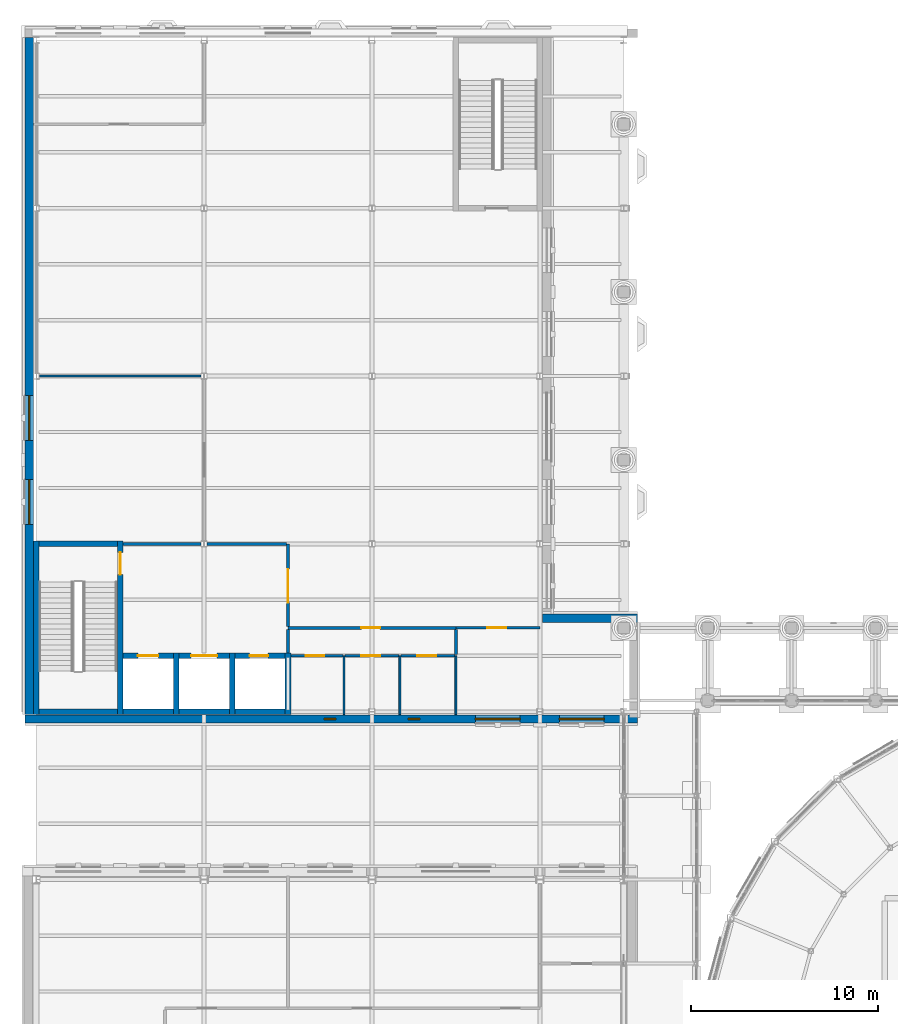
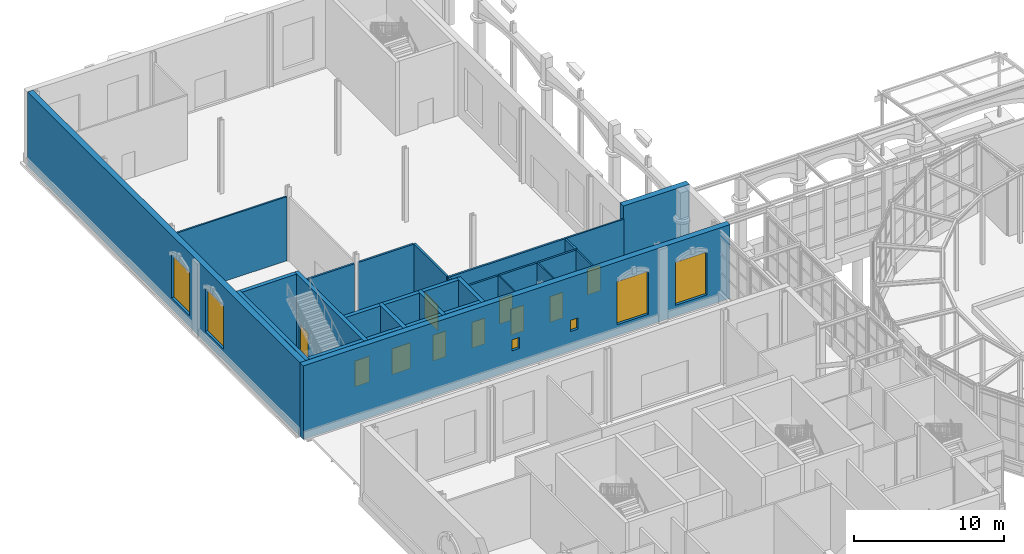
# One storey, part 70 of 106: 30 walls, 10 doors, 6 windows, 16 openings.
"""IFC4 building model written with IfcOpenShell, lengths in metres."""

from ifc_helpers import new_model, si_unit, direction, frame, frame_2d, origin, place, context, subcontext, project, spatial, rectangle, extrude, material, layer, layer_set, type_object, element, fill, save


model = new_model("IFC4")

# Units and contexts
model_context = context("Model", 3, precision=1e-05, world=origin(), true_north=direction((0.0, 1.0)))
body_context = subcontext(model_context, "Body", "Model", "MODEL_VIEW")
ifc_project = project(units=[si_unit("LENGTHUNIT", "METRE"), si_unit("AREAUNIT", "SQUARE_METRE"), si_unit("VOLUMEUNIT", "CUBIC_METRE"), si_unit("PLANEANGLEUNIT", "RADIAN"), si_unit("MASSUNIT", "GRAM", prefix="KILO")], contexts=[model_context])

# Site, building, storey
site_placement = place(None, origin())
site = spatial("IfcSite", under=ifc_project, at=site_placement, CompositionType="ELEMENT")
building_placement = place(site_placement, origin())
building = spatial("IfcBuilding", under=site, at=building_placement, Name="Hortulan Conservatory and Botanical Research Centre", CompositionType="ELEMENT")
storey_placement = place(building_placement, origin())
storey = spatial("IfcBuildingStorey", under=building, at=storey_placement, Name="L00", CompositionType="ELEMENT", Elevation=0.0)

# Wall
ifc_material_1 = material(Name="Concrete N40 (40 MPa, AS 3600)", Category="concrete")
ifc_layer_1 = layer(ifc_material_1, 0.300048828125)
ifc_layer_set_1 = layer_set([ifc_layer_1], Name="Core Wall 300 N40 FRL 180/120/120")
wall_type_1 = type_object("IfcWallType", Name="Core Wall 300 N40 FRL 180/120/120", PredefinedType="SHEAR", material=ifc_layer_set_1)
wall_1_placement = place(storey_placement, frame((0.0, 35.85009765625, 0.0), z_axis=(0.0, 0.0, 1.0), x_axis=(0.0, 1.0, 0.0)))
element("IfcWall", 1, at=wall_1_placement, inside=storey, type_object=wall_type_1, Name="Reinforced concrete shaft wall", PredefinedType="SHEAR", context=body_context, shape_type="SweptSolid", body=[
    extrude(rectangle(XDim=9.2998046875, YDim=0.300048828125, at=frame_2d((4.64990234375, 0.0))), origin(), (0.0, 0.0, 1.0), 6.0),
])

# Wall, opening, door
wall_2_placement = place(storey_placement, frame((4.5, 35.85009765625, 0.0), z_axis=(0.0, 0.0, 1.0), x_axis=(0.0, 1.0, 0.0)))
wall_2 = element("IfcWall", 2, at=wall_2_placement, inside=storey, type_object=wall_type_1, Name="Reinforced concrete shaft wall", PredefinedType="SHEAR", context=body_context, shape_type="SweptSolid", body=[
    extrude(rectangle(XDim=9.2998046875, YDim=0.300048828125, at=frame_2d((4.64990234375, 0.0))), origin(), (0.0, 0.0, 1.0), 6.0),
])
opening_1_placement = place(wall_2_placement, frame((7.5, 0.0, 0.0)))
opening_1 = element("IfcOpeningElement", 3, at=opening_1_placement, cuts=wall_2, Name="Opening DT5", PredefinedType="OPENING", context=body_context, shape_type="SweptSolid", body=[
    extrude(rectangle(XDim=1.199951171875, YDim=2.10009765625, at=frame_2d((0.60009765625, 1.050048828125))), frame((0.0, 0.159912109375, 0.0), z_axis=(0.0, -1.0, 0.0), x_axis=(1.0, 0.0, 0.0)), (0.0, 0.0, 1.0), 0.320068359375),
])
ifc_material_2 = material(Name="Steel door leaf, insulated", Category="steel")
door_type_1 = type_object("IfcDoorType", Name="Stair Door 1200x2100 FRL -/120/30", OperationType="NOTDEFINED", PredefinedType="DOOR", material=ifc_material_2)
door_1_placement = place(opening_1_placement, origin())
door_1 = element("IfcDoor", 4, at=door_1_placement, inside=storey, type_object=door_type_1, Name="Door DT5 Exit Stair V1 to Lift Lobby", OperationType="SINGLE_SWING_LEFT", OverallHeight=2.10009765625, OverallWidth=1.199951171875, PredefinedType="DOOR", context=body_context, shape_type="SweptSolid", body=[
    extrude(rectangle(XDim=1.199951171875, YDim=2.10009765625, at=frame_2d((0.60009765625, 1.050048828125))), frame((0.0, 0.02490234375, 0.0), z_axis=(0.0, -1.0, 0.0), x_axis=(1.0, 0.0, 0.0)), (0.0, 0.0, 1.0), 0.050048828125),
])
fill(opening_1, door_1)

# Walls
for number, where, z_axis, x_axis, name in (
    (5, (7.5, 35.85009765625, 0.0), (0.0, 0.0, 1.0), (0.0, 1.0, 0.0), "Reinforced concrete shaft wall"),
    (6, (10.5, 35.85009765625, 0.0), (0.0, 0.0, 1.0), (0.0, 1.0, 0.0), "Reinforced concrete shaft wall"),
    (7, (13.5, 35.85009765625, 0.0), (0.0, 0.0, 1.0), (0.0, 1.0, 0.0), "Reinforced concrete shaft wall"),
):
    element("IfcWall", number, at=place(storey_placement, frame(where, z_axis=z_axis, x_axis=x_axis)), inside=storey, type_object=wall_type_1, Name=name, PredefinedType="SHEAR", context=body_context, shape_type="SweptSolid", body=[
        extrude(rectangle(XDim=3.2998046875, YDim=0.300048828125, at=frame_2d((1.64990234375, 0.0))), origin(), (0.0, 0.0, 1.0), 6.0),
    ])
wall_3_placement = place(storey_placement, frame((0.14990234375, 36.0, 0.0), z_axis=(0.0, 0.0, 1.0), x_axis=(1.0, 0.0, 0.0)))
element("IfcWall", 8, at=wall_3_placement, inside=storey, type_object=wall_type_1, Name="Reinforced concrete shaft wall", PredefinedType="SHEAR", context=body_context, shape_type="SweptSolid", body=[
    extrude(rectangle(XDim=4.2001953125, YDim=0.300048828125, at=frame_2d((2.10009765625, 0.0))), origin(), (0.0, 0.0, 1.0), 6.0),
])
for number, where, z_axis, x_axis, name in (
    (9, (4.64990234375, 36.0, 0.0), (0.0, 0.0, 1.0), (1.0, 0.0, 0.0), "Reinforced concrete shaft wall"),
    (10, (7.64990234375, 36.0, 0.0), (0.0, 0.0, 1.0), (1.0, 0.0, 0.0), "Reinforced concrete shaft wall"),
    (11, (10.64990234375, 36.0, 0.0), (0.0, 0.0, 1.0), (1.0, 0.0, 0.0), "Reinforced concrete shaft wall"),
):
    element("IfcWall", number, at=place(storey_placement, frame(where, z_axis=z_axis, x_axis=x_axis)), inside=storey, type_object=wall_type_1, Name=name, PredefinedType="SHEAR", context=body_context, shape_type="SweptSolid", body=[
        extrude(rectangle(XDim=2.7001953125, YDim=0.300048828125, at=frame_2d((1.35009765625, 0.0))), origin(), (0.0, 0.0, 1.0), 6.0),
    ])

# Wall, opening, door
wall_4_placement = place(storey_placement, frame((4.64990234375, 39.0, 0.0), z_axis=(0.0, 0.0, 1.0), x_axis=(1.0, 0.0, 0.0)))
wall_4 = element("IfcWall", 12, at=wall_4_placement, inside=storey, type_object=wall_type_1, Name="Reinforced concrete shaft wall", PredefinedType="SHEAR", context=body_context, shape_type="SweptSolid", body=[
    extrude(rectangle(XDim=2.7001953125, YDim=0.300048828125, at=frame_2d((1.35009765625, 0.0))), origin(), (0.0, 0.0, 1.0), 6.0),
])
opening_2_placement = place(wall_4_placement, frame((0.800048828125, 0.0, 0.0)))
opening_2 = element("IfcOpeningElement", 13, at=opening_2_placement, cuts=wall_4, Name="Opening LD1", PredefinedType="OPENING", context=body_context, shape_type="SweptSolid", body=[
    extrude(rectangle(XDim=1.10009765625, YDim=2.10009765625, at=frame_2d((0.550048828125, 1.050048828125))), frame((0.0, 0.159912109375, 0.0), z_axis=(0.0, -1.0, 0.0), x_axis=(1.0, 0.0, 0.0)), (0.0, 0.0, 1.0), 0.320068359375),
])
ifc_material_3 = material(Name="Stainless steel door leaves in steel frame", Category="steel")
door_type_2 = type_object("IfcDoorType", Name="Lift Landing Door 1100x2100", OperationType="DOUBLE_DOOR_SLIDING", PredefinedType="DOOR", material=ifc_material_3)
door_2_placement = place(opening_2_placement, origin())
door_2 = element("IfcDoor", 14, at=door_2_placement, inside=storey, type_object=door_type_2, Name="Lift LV1 landing door L00", OperationType="DOUBLE_DOOR_SLIDING", OverallHeight=2.10009765625, OverallWidth=1.10009765625, PredefinedType="DOOR", context=body_context, shape_type="SweptSolid", body=[
    extrude(rectangle(XDim=1.10009765625, YDim=2.10009765625, at=frame_2d((0.550048828125, 1.050048828125))), frame((0.0, 0.02490234375, 0.0), z_axis=(0.0, -1.0, 0.0), x_axis=(1.0, 0.0, 0.0)), (0.0, 0.0, 1.0), 0.050048828125),
])
fill(opening_2, door_2)

wall_5_placement = place(storey_placement, frame((7.64990234375, 39.0, 0.0), z_axis=(0.0, 0.0, 1.0), x_axis=(1.0, 0.0, 0.0)))
wall_5 = element("IfcWall", 15, at=wall_5_placement, inside=storey, type_object=wall_type_1, Name="Reinforced concrete shaft wall", PredefinedType="SHEAR", context=body_context, shape_type="SweptSolid", body=[
    extrude(rectangle(XDim=2.7001953125, YDim=0.300048828125, at=frame_2d((1.35009765625, 0.0))), origin(), (0.0, 0.0, 1.0), 6.0),
])
opening_3_placement = place(wall_5_placement, frame((0.64990234375, 0.0, 0.0)))
opening_3 = element("IfcOpeningElement", 16, at=opening_3_placement, cuts=wall_5, Name="Opening LD2", PredefinedType="OPENING", context=body_context, shape_type="SweptSolid", body=[
    extrude(rectangle(XDim=1.39990234375, YDim=2.10009765625, at=frame_2d((0.699951171875, 1.050048828125))), frame((0.0, 0.159912109375, 0.0), z_axis=(0.0, -1.0, 0.0), x_axis=(1.0, 0.0, 0.0)), (0.0, 0.0, 1.0), 0.320068359375),
])
door_type_3 = type_object("IfcDoorType", Name="Lift Landing Door 1400x2100", OperationType="DOUBLE_DOOR_SLIDING", PredefinedType="DOOR", material=ifc_material_3)
door_3_placement = place(opening_3_placement, origin())
door_3 = element("IfcDoor", 17, at=door_3_placement, inside=storey, type_object=door_type_3, Name="Lift LV2 landing door L00", OperationType="DOUBLE_DOOR_SLIDING", OverallHeight=2.10009765625, OverallWidth=1.39990234375, PredefinedType="DOOR", context=body_context, shape_type="SweptSolid", body=[
    extrude(rectangle(XDim=1.39990234375, YDim=2.10009765625, at=frame_2d((0.699951171875, 1.050048828125))), frame((0.0, 0.02490234375, 0.0), z_axis=(0.0, -1.0, 0.0), x_axis=(1.0, 0.0, 0.0)), (0.0, 0.0, 1.0), 0.050048828125),
])
fill(opening_3, door_3)

wall_6_placement = place(storey_placement, frame((10.64990234375, 39.0, 0.0), z_axis=(0.0, 0.0, 1.0), x_axis=(1.0, 0.0, 0.0)))
wall_6 = element("IfcWall", 18, at=wall_6_placement, inside=storey, type_object=wall_type_1, Name="Reinforced concrete shaft wall", PredefinedType="SHEAR", context=body_context, shape_type="SweptSolid", body=[
    extrude(rectangle(XDim=2.7001953125, YDim=0.300048828125, at=frame_2d((1.35009765625, 0.0))), origin(), (0.0, 0.0, 1.0), 6.0),
])
opening_4_placement = place(wall_6_placement, frame((0.788818359375, 0.0, 0.0)))
opening_4 = element("IfcOpeningElement", 19, at=opening_4_placement, cuts=wall_6, Name="Opening DT6", PredefinedType="OPENING", context=body_context, shape_type="SweptSolid", body=[
    extrude(rectangle(XDim=1.0, YDim=2.10009765625, at=frame_2d((0.5, 1.050048828125))), frame((0.0, 0.159912109375, 0.0), z_axis=(0.0, -1.0, 0.0), x_axis=(1.0, 0.0, 0.0)), (0.0, 0.0, 1.0), 0.320068359375),
])
door_type_4 = type_object("IfcDoorType", Name="Fire Door 1000x2100 FRL -/120/30", OperationType="NOTDEFINED", PredefinedType="DOOR", material=ifc_material_2)
door_4_placement = place(opening_4_placement, frame((1.0, 0.0, 0.0), z_axis=(0.0, 0.0, 1.0), x_axis=(-1.0, 0.0, 0.0)))
door_4 = element("IfcDoor", 20, at=door_4_placement, inside=storey, type_object=door_type_4, Name="Door DT6 Services Riser to Lift Lobby", OperationType="SINGLE_SWING_RIGHT", OverallHeight=2.10009765625, OverallWidth=1.0, PredefinedType="DOOR", context=body_context, shape_type="SweptSolid", body=[
    extrude(rectangle(XDim=1.0, YDim=2.10009765625, at=frame_2d((0.5, 1.050048828125))), frame((0.0, 0.02490234375, 0.0), z_axis=(0.0, -1.0, 0.0), x_axis=(1.0, 0.0, 0.0)), (0.0, 0.0, 1.0), 0.050048828125),
])
fill(opening_4, door_4)

# Walls
wall_7_placement = place(storey_placement, frame((0.14990234375, 45.0, 0.0), z_axis=(0.0, 0.0, 1.0), x_axis=(1.0, 0.0, 0.0)))
element("IfcWall", 21, at=wall_7_placement, inside=storey, type_object=wall_type_1, Name="Reinforced concrete shaft wall", PredefinedType="SHEAR", context=body_context, shape_type="SweptSolid", body=[
    extrude(rectangle(XDim=4.2001953125, YDim=0.300048828125, at=frame_2d((2.10009765625, 0.0))), origin(), (0.0, 0.0, 1.0), 6.0),
])
ifc_material_4 = material(Name="Fire-rated plasterboard on steel studs", Category="steel")
ifc_layer_2 = layer(ifc_material_4, 0.14990234375)
ifc_layer_set_2 = layer_set([ifc_layer_2], Name="Lobby Partition 150")
wall_type_2 = type_object("IfcWallType", Name="Lobby Partition 150", PredefinedType="PARTITIONING", material=ifc_layer_set_2)
wall_8_placement = place(storey_placement, frame((13.5, 39.159912109375, 0.0), z_axis=(0.0, 0.0, 1.0), x_axis=(0.0, 1.0, 0.0)))
element("IfcWall", 22, at=wall_8_placement, inside=storey, type_object=wall_type_2, Name="Partition Lift Lobby and WC Lobby L00", PredefinedType="PARTITIONING", context=body_context, shape_type="SweptSolid", body=[
    extrude(rectangle(XDim=1.255126953125, YDim=0.14990234375, at=frame_2d((0.62744140625, 0.0))), origin(), (0.0, 0.0, 1.0), 5.218017578125),
])

# Wall, opening, door
wall_9_placement = place(storey_placement, frame((13.5, 40.5849609375, 0.0), z_axis=(0.0, 0.0, 1.0), x_axis=(0.0, 1.0, 0.0)))
wall_9 = element("IfcWall", 23, at=wall_9_placement, inside=storey, type_object=wall_type_2, Name="Partition Lift Lobby and Winter Garden Passage L00", PredefinedType="PARTITIONING", context=body_context, shape_type="SweptSolid", body=[
    extrude(rectangle(XDim=4.4150390625, YDim=0.14990234375, at=frame_2d((2.20751953125, 0.0))), origin(), (0.0, 0.0, 1.0), 5.218017578125),
])
opening_5_placement = place(wall_9_placement, frame((1.264892578125, 0.0, 0.0)))
opening_5 = element("IfcOpeningElement", 24, at=opening_5_placement, cuts=wall_9, Name="Opening DT8", PredefinedType="OPENING", context=body_context, shape_type="SweptSolid", body=[
    extrude(rectangle(XDim=1.800048828125, YDim=2.10009765625, at=frame_2d((0.89990234375, 1.050048828125))), frame((0.0, 0.0849609375, 0.0), z_axis=(0.0, -1.0, 0.0), x_axis=(1.0, 0.0, 0.0)), (0.0, 0.0, 1.0), 0.169921875),
])
door_type_5 = type_object("IfcDoorType", Name="Lobby Double Door 1800x2100 FRL -/60/30", OperationType="DOUBLE_DOOR_SINGLE_SWING", PredefinedType="DOOR", material=ifc_material_2)
door_5_placement = place(opening_5_placement, frame((1.800048828125, 0.0, 0.0), z_axis=(0.0, 0.0, 1.0), x_axis=(-1.0, 0.0, 0.0)))
door_5 = element("IfcDoor", 25, at=door_5_placement, inside=storey, type_object=door_type_5, Name="Door DT8 Lift Lobby to Winter Garden Passage", OperationType="DOUBLE_DOOR_SINGLE_SWING", OverallHeight=2.10009765625, OverallWidth=1.800048828125, PredefinedType="DOOR", context=body_context, shape_type="SweptSolid", body=[
    extrude(rectangle(XDim=1.800048828125, YDim=2.10009765625, at=frame_2d((0.89990234375, 1.050048828125))), frame((0.0, 0.02490234375, 0.0), z_axis=(0.0, -1.0, 0.0), x_axis=(1.0, 0.0, 0.0)), (0.0, 0.0, 1.0), 0.050048828125),
])
fill(opening_5, door_5)

# Wall
wall_10_placement = place(storey_placement, frame((22.5, 39.074951171875, 0.0), z_axis=(0.0, 0.0, 1.0), x_axis=(0.0, 1.0, 0.0)))
element("IfcWall", 26, at=wall_10_placement, inside=storey, type_object=wall_type_2, Name="Partition WC Lobby and Visitor Services Office L00", PredefinedType="PARTITIONING", context=body_context, shape_type="SweptSolid", body=[
    extrude(rectangle(XDim=1.340087890625, YDim=0.14990234375, at=frame_2d((0.669921875, 0.0))), origin(), (0.0, 0.0, 1.0), 5.218017578125),
])

# Wall, opening, door
wall_11_placement = place(storey_placement, frame((13.659912109375, 39.0, 0.0), z_axis=(0.0, 0.0, 1.0), x_axis=(1.0, 0.0, 0.0)))
wall_11 = element("IfcWall", 27, at=wall_11_placement, inside=storey, type_object=wall_type_2, Name="Partition Accessible WC and WC Lobby L00", PredefinedType="PARTITIONING", context=body_context, shape_type="SweptSolid", body=[
    extrude(rectangle(XDim=2.780029296875, YDim=0.14990234375, at=frame_2d((1.39013671875, 0.0))), origin(), (0.0, 0.0, 1.0), 5.218017578125),
])
opening_6_placement = place(wall_11_placement, frame((0.77880859375, 0.0, 0.0)))
opening_6 = element("IfcOpeningElement", 28, at=opening_6_placement, cuts=wall_11, Name="Opening DT4", PredefinedType="OPENING", context=body_context, shape_type="SweptSolid", body=[
    extrude(rectangle(XDim=1.0, YDim=2.10009765625, at=frame_2d((0.5, 1.050048828125))), frame((0.0, 0.0849609375, 0.0), z_axis=(0.0, -1.0, 0.0), x_axis=(1.0, 0.0, 0.0)), (0.0, 0.0, 1.0), 0.169921875),
])
door_type_6 = type_object("IfcDoorType", Name="Fire Door 1000x2100 FRL -/60/30", OperationType="NOTDEFINED", PredefinedType="DOOR", material=ifc_material_2)
door_6_placement = place(opening_6_placement, frame((1.0, 0.0, 0.0), z_axis=(0.0, 0.0, 1.0), x_axis=(-1.0, 0.0, 0.0)))
door_6 = element("IfcDoor", 29, at=door_6_placement, inside=storey, type_object=door_type_6, Name="Door DT4 Accessible WC to WC Lobby", OperationType="SINGLE_SWING_RIGHT", OverallHeight=2.10009765625, OverallWidth=1.0, PredefinedType="DOOR", context=body_context, shape_type="SweptSolid", body=[
    extrude(rectangle(XDim=1.0, YDim=2.10009765625, at=frame_2d((0.5, 1.050048828125))), frame((0.0, 0.02490234375, 0.0), z_axis=(0.0, -1.0, 0.0), x_axis=(1.0, 0.0, 0.0)), (0.0, 0.0, 1.0), 0.050048828125),
])
fill(opening_6, door_6)

wall_12_placement = place(storey_placement, frame((16.56005859375, 39.0, 0.0), z_axis=(0.0, 0.0, 1.0), x_axis=(1.0, 0.0, 0.0)))
wall_12 = element("IfcWall", 30, at=wall_12_placement, inside=storey, type_object=wall_type_2, Name="Partition Women's WC and WC Lobby L00", PredefinedType="PARTITIONING", context=body_context, shape_type="SweptSolid", body=[
    extrude(rectangle(XDim=2.8798828125, YDim=0.14990234375, at=frame_2d((1.43994140625, 0.0))), origin(), (0.0, 0.0, 1.0), 5.218017578125),
])
opening_7_placement = place(wall_12_placement, frame((0.87890625, 0.0, 0.0)))
opening_7 = element("IfcOpeningElement", 31, at=opening_7_placement, cuts=wall_12, Name="Opening DT4", PredefinedType="OPENING", context=body_context, shape_type="SweptSolid", body=[
    extrude(rectangle(XDim=1.0, YDim=2.10009765625, at=frame_2d((0.5, 1.050048828125))), frame((0.0, 0.0849609375, 0.0), z_axis=(0.0, -1.0, 0.0), x_axis=(1.0, 0.0, 0.0)), (0.0, 0.0, 1.0), 0.169921875),
])
door_7_placement = place(opening_7_placement, frame((1.0, 0.0, 0.0), z_axis=(0.0, 0.0, 1.0), x_axis=(-1.0, 0.0, 0.0)))
door_7 = element("IfcDoor", 32, at=door_7_placement, inside=storey, type_object=door_type_6, Name="Door DT4 Women's WC to WC Lobby", OperationType="SINGLE_SWING_RIGHT", OverallHeight=2.10009765625, OverallWidth=1.0, PredefinedType="DOOR", context=body_context, shape_type="SweptSolid", body=[
    extrude(rectangle(XDim=1.0, YDim=2.10009765625, at=frame_2d((0.5, 1.050048828125))), frame((0.0, 0.02490234375, 0.0), z_axis=(0.0, -1.0, 0.0), x_axis=(1.0, 0.0, 0.0)), (0.0, 0.0, 1.0), 0.050048828125),
])
fill(opening_7, door_7)

wall_13_placement = place(storey_placement, frame((19.56005859375, 39.0, 0.0), z_axis=(0.0, 0.0, 1.0), x_axis=(1.0, 0.0, 0.0)))
wall_13 = element("IfcWall", 33, at=wall_13_placement, inside=storey, type_object=wall_type_2, Name="Partition Men's WC and WC Lobby L00", PredefinedType="PARTITIONING", context=body_context, shape_type="SweptSolid", body=[
    extrude(rectangle(XDim=2.8798828125, YDim=0.14990234375, at=frame_2d((1.43994140625, 0.0))), origin(), (0.0, 0.0, 1.0), 5.218017578125),
])
opening_8_placement = place(wall_13_placement, frame((0.87890625, 0.0, 0.0)))
opening_8 = element("IfcOpeningElement", 34, at=opening_8_placement, cuts=wall_13, Name="Opening DT4", PredefinedType="OPENING", context=body_context, shape_type="SweptSolid", body=[
    extrude(rectangle(XDim=1.0, YDim=2.10009765625, at=frame_2d((0.5, 1.050048828125))), frame((0.0, 0.0849609375, 0.0), z_axis=(0.0, -1.0, 0.0), x_axis=(1.0, 0.0, 0.0)), (0.0, 0.0, 1.0), 0.169921875),
])
door_8_placement = place(opening_8_placement, frame((1.0, 0.0, 0.0), z_axis=(0.0, 0.0, 1.0), x_axis=(-1.0, 0.0, 0.0)))
door_8 = element("IfcDoor", 35, at=door_8_placement, inside=storey, type_object=door_type_6, Name="Door DT4 Men's WC to WC Lobby", OperationType="SINGLE_SWING_RIGHT", OverallHeight=2.10009765625, OverallWidth=1.0, PredefinedType="DOOR", context=body_context, shape_type="SweptSolid", body=[
    extrude(rectangle(XDim=1.0, YDim=2.10009765625, at=frame_2d((0.5, 1.050048828125))), frame((0.0, 0.02490234375, 0.0), z_axis=(0.0, -1.0, 0.0), x_axis=(1.0, 0.0, 0.0)), (0.0, 0.0, 1.0), 0.050048828125),
])
fill(opening_8, door_8)

wall_14_placement = place(storey_placement, frame((13.5, 40.5, 0.0), z_axis=(0.0, 0.0, 1.0), x_axis=(1.0, 0.0, 0.0)))
wall_14 = element("IfcWall", 36, at=wall_14_placement, inside=storey, type_object=wall_type_2, Name="Partition WC Lobby and Winter Garden Passage L00", PredefinedType="PARTITIONING", context=body_context, shape_type="SweptSolid", body=[
    extrude(rectangle(XDim=9.0, YDim=0.14990234375, at=frame_2d((4.5, 0.0))), origin(), (0.0, 0.0, 1.0), 5.218017578125),
])
opening_9_placement = place(wall_14_placement, frame((3.937744140625, 0.0, 0.0)))
opening_9 = element("IfcOpeningElement", 37, at=opening_9_placement, cuts=wall_14, Name="Opening DT4", PredefinedType="OPENING", context=body_context, shape_type="SweptSolid", body=[
    extrude(rectangle(XDim=1.0, YDim=2.10009765625, at=frame_2d((0.5, 1.050048828125))), frame((0.0, 0.0849609375, 0.0), z_axis=(0.0, -1.0, 0.0), x_axis=(1.0, 0.0, 0.0)), (0.0, 0.0, 1.0), 0.169921875),
])
door_9_placement = place(opening_9_placement, origin())
door_9 = element("IfcDoor", 38, at=door_9_placement, inside=storey, type_object=door_type_6, Name="Door DT4 WC Lobby to Winter Garden Passage", OperationType="SINGLE_SWING_LEFT", OverallHeight=2.10009765625, OverallWidth=1.0, PredefinedType="DOOR", context=body_context, shape_type="SweptSolid", body=[
    extrude(rectangle(XDim=1.0, YDim=2.10009765625, at=frame_2d((0.5, 1.050048828125))), frame((0.0, 0.02490234375, 0.0), z_axis=(0.0, -1.0, 0.0), x_axis=(1.0, 0.0, 0.0)), (0.0, 0.0, 1.0), 0.050048828125),
])
fill(opening_9, door_9)

# Walls
wall_15_placement = place(storey_placement, frame((4.659912109375, 45.0, 0.0), z_axis=(0.0, 0.0, 1.0), x_axis=(1.0, 0.0, 0.0)))
element("IfcWall", 39, at=wall_15_placement, inside=storey, type_object=wall_type_2, Name="Partition Lift Lobby and Garden Shop L00", PredefinedType="PARTITIONING", context=body_context, shape_type="SweptSolid", body=[
    extrude(rectangle(XDim=4.175537109375, YDim=0.14990234375, at=frame_2d((2.087890625, 0.0))), origin(), (0.0, 0.0, 1.0), 5.218017578125),
])
wall_16_placement = place(storey_placement, frame((9.16455078125, 45.0, 0.0), z_axis=(0.0, 0.0, 1.0), x_axis=(1.0, 0.0, 0.0)))
element("IfcWall", 40, at=wall_16_placement, inside=storey, type_object=wall_type_2, Name="Partition Lift Lobby and Winter Garden L00", PredefinedType="PARTITIONING", context=body_context, shape_type="SweptSolid", body=[
    extrude(rectangle(XDim=4.25048828125, YDim=0.14990234375, at=frame_2d((2.125244140625, 0.0))), origin(), (0.0, 0.0, 1.0), 5.218017578125),
])

# Wall, opening, door
ifc_material_5 = material(Name="Plasterboard on steel studs", Category="steel")
ifc_layer_3 = layer(ifc_material_5, 0.125)
ifc_layer_set_3 = layer_set([ifc_layer_3], Name="Partition 125")
wall_type_3 = type_object("IfcWallType", Name="Partition 125", PredefinedType="PARTITIONING", material=ifc_layer_set_3)
wall_17_placement = place(storey_placement, frame((22.510009765625, 40.5, 0.0), z_axis=(0.0, 0.0, 1.0), x_axis=(1.0, 0.0, 0.0)))
wall_17 = element("IfcWall", 41, at=wall_17_placement, inside=storey, type_object=wall_type_3, Name="Partition Winter Garden Passage and Visitor Services Office L00", PredefinedType="PARTITIONING", context=body_context, shape_type="SweptSolid", body=[
    extrude(rectangle(XDim=4.489990234375, YDim=0.125, at=frame_2d((2.2451171875, 0.0))), origin(), (0.0, 0.0, 1.0), 5.218017578125),
])
opening_10_placement = place(wall_17_placement, frame((1.677978515625, 0.0, 0.0)))
opening_10 = element("IfcOpeningElement", 42, at=opening_10_placement, cuts=wall_17, Name="Opening DT1", PredefinedType="OPENING", context=body_context, shape_type="SweptSolid", body=[
    extrude(rectangle(XDim=1.0, YDim=2.10009765625, at=frame_2d((0.5, 1.050048828125))), frame((0.0, 0.072509765625, 0.0), z_axis=(0.0, -1.0, 0.0), x_axis=(1.0, 0.0, 0.0)), (0.0, 0.0, 1.0), 0.14501953125),
])
ifc_material_6 = material(Name="Timber door leaf in timber frame", Category="wood")
door_type_7 = type_object("IfcDoorType", Name="Single Door 1000x2100", OperationType="NOTDEFINED", PredefinedType="DOOR", material=ifc_material_6)
door_10_placement = place(opening_10_placement, frame((1.0, 0.0, 0.0), z_axis=(0.0, 0.0, 1.0), x_axis=(-1.0, 0.0, 0.0)))
door_10 = element("IfcDoor", 43, at=door_10_placement, inside=storey, type_object=door_type_7, Name="Door DT1 Visitor Services Office to Winter Garden Passage", OperationType="SINGLE_SWING_RIGHT", OverallHeight=2.10009765625, OverallWidth=1.0, PredefinedType="DOOR", context=body_context, shape_type="SweptSolid", body=[
    extrude(rectangle(XDim=1.0, YDim=2.10009765625, at=frame_2d((0.5, 1.050048828125))), frame((0.0, 0.02490234375, 0.0), z_axis=(0.0, -1.0, 0.0), x_axis=(1.0, 0.0, 0.0)), (0.0, 0.0, 1.0), 0.050048828125),
])
fill(opening_10, door_10)

# Wall
wall_18_placement = place(storey_placement, frame((0.16455078125, 54.0, 0.0), z_axis=(0.0, 0.0, 1.0), x_axis=(1.0, 0.0, 0.0)))
element("IfcWall", 44, at=wall_18_placement, inside=storey, type_object=wall_type_3, Name="Partition Garden Shop and Visitor Cafe L00", PredefinedType="PARTITIONING", context=body_context, shape_type="SweptSolid", body=[
    extrude(rectangle(XDim=8.6708984375, YDim=0.125, at=frame_2d((4.33544921875, 0.0))), origin(), (0.0, 0.0, 1.0), 5.218017578125),
])

# Wall, openings, windows
ifc_material_7 = material(Name="Sandstone masonry (Hawkesbury yellow block)", Category="masonry")
ifc_layer_4 = layer(ifc_material_7, 0.449951171875)
ifc_layer_set_4 = layer_set([ifc_layer_4], Name="Sandstone Masonry Cavity Wall 450")
wall_type_4 = type_object("IfcWallType", Name="Sandstone Masonry Cavity Wall 450", PredefinedType="STANDARD", material=ifc_layer_set_4)
wall_19_placement = place(storey_placement, frame((32.25, 35.614501953125, 0.0), z_axis=(0.0, 0.0, 1.0), x_axis=(-1.0, 0.0, 0.0)))
wall_19 = element("IfcWall", 45, at=wall_19_placement, inside=storey, type_object=wall_type_4, Name="E-EW-VC-L00-S1", PredefinedType="STANDARD", context=body_context, shape_type="SweptSolid", body=[
    extrude(rectangle(XDim=32.8544921875, YDim=0.449951171875, at=frame_2d((16.42724609375, 0.0))), origin(), (0.0, 0.0, 1.0), 6.0),
])
opening_11_placement = place(wall_19_placement, frame((16.199951171875, 0.0, 1.60009765625)))
opening_11 = element("IfcOpeningElement", 46, at=opening_11_placement, cuts=wall_19, Name="Opening W3", PredefinedType="OPENING", context=body_context, shape_type="SweptSolid", body=[
    extrude(rectangle(XDim=0.60009765625, YDim=0.89990234375, at=frame_2d((0.300048828125, 0.449951171875))), frame((0.0, 0.23486328125, 0.0), z_axis=(0.0, -1.0, 0.0), x_axis=(1.0, 0.0, 0.0)), (0.0, 0.0, 1.0), 0.469970703125),
])
opening_12_placement = place(wall_19_placement, frame((11.699951171875, 0.0, 1.60009765625)))
opening_12 = element("IfcOpeningElement", 47, at=opening_12_placement, cuts=wall_19, Name="Opening W3", PredefinedType="OPENING", context=body_context, shape_type="SweptSolid", body=[
    extrude(rectangle(XDim=0.60009765625, YDim=0.89990234375, at=frame_2d((0.300048828125, 0.449951171875))), frame((0.0, 0.23486328125, 0.0), z_axis=(0.0, -1.0, 0.0), x_axis=(1.0, 0.0, 0.0)), (0.0, 0.0, 1.0), 0.469970703125),
])
opening_13_placement = place(wall_19_placement, frame((6.300048828125, 0.0, 0.89990234375)))
opening_13 = element("IfcOpeningElement", 48, at=opening_13_placement, cuts=wall_19, Name="Opening W1", PredefinedType="OPENING", context=body_context, shape_type="SweptSolid", body=[
    extrude(rectangle(XDim=2.39990234375, YDim=3.5, at=frame_2d((1.199951171875, 1.75))), frame((0.0, 0.23486328125, 0.0), z_axis=(0.0, -1.0, 0.0), x_axis=(1.0, 0.0, 0.0)), (0.0, 0.0, 1.0), 0.469970703125),
])
opening_14_placement = place(wall_19_placement, frame((1.800048828125, 0.0, 0.89990234375)))
opening_14 = element("IfcOpeningElement", 49, at=opening_14_placement, cuts=wall_19, Name="Opening W1", PredefinedType="OPENING", context=body_context, shape_type="SweptSolid", body=[
    extrude(rectangle(XDim=2.39990234375, YDim=3.5, at=frame_2d((1.199951171875, 1.75))), frame((0.0, 0.23486328125, 0.0), z_axis=(0.0, -1.0, 0.0), x_axis=(1.0, 0.0, 0.0)), (0.0, 0.0, 1.0), 0.469970703125),
])
ifc_material_8 = material(Name="Bronze-finished aluminium frame with low-e laminated double glazing", Category="aluminium")
window_type_1 = type_object("IfcWindowType", Name="Sandstone Window 2400x3500", PartitioningType="SINGLE_PANEL", PredefinedType="WINDOW", material=ifc_material_8)
window_1_placement = place(opening_13_placement, origin())
window_1 = element("IfcWindow", 50, at=window_1_placement, inside=storey, type_object=window_type_1, Name="Sandstone window", OverallHeight=3.5, OverallWidth=2.39990234375, PartitioningType="SINGLE_PANEL", PredefinedType="WINDOW", context=body_context, shape_type="SweptSolid", body=[
    extrude(rectangle(XDim=2.39990234375, YDim=3.5, at=frame_2d((1.199951171875, 1.75))), frame((0.0, 0.030029296875, 0.0), z_axis=(0.0, -1.0, 0.0), x_axis=(1.0, 0.0, 0.0)), (0.0, 0.0, 1.0), 0.06005859375),
])
fill(opening_13, window_1)
window_2_placement = place(opening_14_placement, origin())
window_2 = element("IfcWindow", 51, at=window_2_placement, inside=storey, type_object=window_type_1, Name="Sandstone window", OverallHeight=3.5, OverallWidth=2.39990234375, PartitioningType="SINGLE_PANEL", PredefinedType="WINDOW", context=body_context, shape_type="SweptSolid", body=[
    extrude(rectangle(XDim=2.39990234375, YDim=3.5, at=frame_2d((1.199951171875, 1.75))), frame((0.0, 0.030029296875, 0.0), z_axis=(0.0, -1.0, 0.0), x_axis=(1.0, 0.0, 0.0)), (0.0, 0.0, 1.0), 0.06005859375),
])
fill(opening_14, window_2)
window_type_2 = type_object("IfcWindowType", Name="Slot Window 600x900", PartitioningType="SINGLE_PANEL", PredefinedType="WINDOW", material=ifc_material_8)
window_3_placement = place(opening_11_placement, origin())
window_3 = element("IfcWindow", 52, at=window_3_placement, inside=storey, type_object=window_type_2, Name="Slot window", OverallHeight=0.89990234375, OverallWidth=0.60009765625, PartitioningType="SINGLE_PANEL", PredefinedType="WINDOW", context=body_context, shape_type="SweptSolid", body=[
    extrude(rectangle(XDim=0.60009765625, YDim=0.89990234375, at=frame_2d((0.300048828125, 0.449951171875))), frame((0.0, 0.030029296875, 0.0), z_axis=(0.0, -1.0, 0.0), x_axis=(1.0, 0.0, 0.0)), (0.0, 0.0, 1.0), 0.06005859375),
])
fill(opening_11, window_3)
window_4_placement = place(opening_12_placement, origin())
window_4 = element("IfcWindow", 53, at=window_4_placement, inside=storey, type_object=window_type_2, Name="Slot window", OverallHeight=0.89990234375, OverallWidth=0.60009765625, PartitioningType="SINGLE_PANEL", PredefinedType="WINDOW", context=body_context, shape_type="SweptSolid", body=[
    extrude(rectangle(XDim=0.60009765625, YDim=0.89990234375, at=frame_2d((0.300048828125, 0.449951171875))), frame((0.0, 0.030029296875, 0.0), z_axis=(0.0, -1.0, 0.0), x_axis=(1.0, 0.0, 0.0)), (0.0, 0.0, 1.0), 0.06005859375),
])
fill(opening_12, window_4)

wall_20_placement = place(storey_placement, frame((-0.37939453125, 35.845458984375, 0.0), z_axis=(0.0, 0.0, 1.0), x_axis=(0.0, 1.0, 0.0)))
wall_20 = element("IfcWall", 54, at=wall_20_placement, inside=storey, type_object=wall_type_4, Name="E-EW-VC-L00-W2", PredefinedType="STANDARD", context=body_context, shape_type="SweptSolid", body=[
    extrude(rectangle(XDim=36.30908203125, YDim=0.449951171875, at=frame_2d((18.154541015625, 0.0))), origin(), (0.0, 0.0, 1.0), 6.0),
])
opening_15_placement = place(wall_20_placement, frame((10.20458984375, 0.0, 0.89990234375)))
opening_15 = element("IfcOpeningElement", 55, at=opening_15_placement, cuts=wall_20, Name="Opening W1", PredefinedType="OPENING", context=body_context, shape_type="SweptSolid", body=[
    extrude(rectangle(XDim=2.39990234375, YDim=3.5, at=frame_2d((1.199951171875, 1.75))), frame((0.0, 0.23486328125, 0.0), z_axis=(0.0, -1.0, 0.0), x_axis=(1.0, 0.0, 0.0)), (0.0, 0.0, 1.0), 0.469970703125),
])
opening_16_placement = place(wall_20_placement, frame((14.70458984375, 0.0, 0.89990234375)))
opening_16 = element("IfcOpeningElement", 56, at=opening_16_placement, cuts=wall_20, Name="Opening W1", PredefinedType="OPENING", context=body_context, shape_type="SweptSolid", body=[
    extrude(rectangle(XDim=2.39990234375, YDim=3.5, at=frame_2d((1.199951171875, 1.75))), frame((0.0, 0.23486328125, 0.0), z_axis=(0.0, -1.0, 0.0), x_axis=(1.0, 0.0, 0.0)), (0.0, 0.0, 1.0), 0.469970703125),
])
window_5_placement = place(opening_15_placement, origin())
window_5 = element("IfcWindow", 57, at=window_5_placement, inside=storey, type_object=window_type_1, Name="Sandstone window", OverallHeight=3.5, OverallWidth=2.39990234375, PartitioningType="SINGLE_PANEL", PredefinedType="WINDOW", context=body_context, shape_type="SweptSolid", body=[
    extrude(rectangle(XDim=2.39990234375, YDim=3.5, at=frame_2d((1.199951171875, 1.75))), frame((0.0, 0.030029296875, 0.0), z_axis=(0.0, -1.0, 0.0), x_axis=(1.0, 0.0, 0.0)), (0.0, 0.0, 1.0), 0.06005859375),
])
fill(opening_15, window_5)
window_6_placement = place(opening_16_placement, origin())
window_6 = element("IfcWindow", 58, at=window_6_placement, inside=storey, type_object=window_type_1, Name="Sandstone window", OverallHeight=3.5, OverallWidth=2.39990234375, PartitioningType="SINGLE_PANEL", PredefinedType="WINDOW", context=body_context, shape_type="SweptSolid", body=[
    extrude(rectangle(XDim=2.39990234375, YDim=3.5, at=frame_2d((1.199951171875, 1.75))), frame((0.0, 0.030029296875, 0.0), z_axis=(0.0, -1.0, 0.0), x_axis=(1.0, 0.0, 0.0)), (0.0, 0.0, 1.0), 0.06005859375),
])
fill(opening_16, window_6)

# Walls
wall_21_placement = place(storey_placement, frame((27.154541015625, 41.02490234375, 0.0), z_axis=(0.0, 0.0, 1.0), x_axis=(1.0, 0.0, 0.0)))
element("IfcWall", 59, at=wall_21_placement, inside=storey, type_object=wall_type_4, Name="E-EW-VC-L00-N5", PredefinedType="STANDARD", context=body_context, shape_type="SweptSolid", body=[
    extrude(rectangle(XDim=5.095458984375, YDim=0.449951171875, at=frame_2d((2.5478515625, 0.0))), origin(), (0.0, 0.0, 1.0), 6.0),
])
ifc_material_9 = material(Name="Moisture-resistant plasterboard on steel studs", Category="steel")
ifc_layer_5 = layer(ifc_material_9, 0.10009765625)
ifc_layer_set_5 = layer_set([ifc_layer_5], Name="Wet Area Partition 100")
wall_type_5 = type_object("IfcWallType", Name="Wet Area Partition 100", PredefinedType="PARTITIONING", material=ifc_layer_set_5)
for number, where, z_axis, x_axis, name in (
    (60, (16.5, 35.849609375, 0.0), (0.0, 0.0, 1.0), (0.0, 1.0, 0.0), "Partition Accessible WC and Women's WC L00"),
    (61, (19.5, 35.849609375, 0.0), (0.0, 0.0, 1.0), (0.0, 1.0, 0.0), "Partition Women's WC and Men's WC L00"),
    (62, (22.5, 35.849609375, 0.0), (0.0, 0.0, 1.0), (0.0, 1.0, 0.0), "Partition Men's WC and Visitor Services Office L00"),
):
    element("IfcWall", number, at=place(storey_placement, frame(where, z_axis=z_axis, x_axis=x_axis)), inside=storey, type_object=wall_type_5, Name=name, PredefinedType="PARTITIONING", context=body_context, shape_type="SweptSolid", body=[
        extrude(rectangle(XDim=3.150390625, YDim=0.10009765625, at=frame_2d((1.5751953125, 0.0))), origin(), (0.0, 0.0, 1.0), 5.218017578125),
    ])

save(model, "model.ifc")
